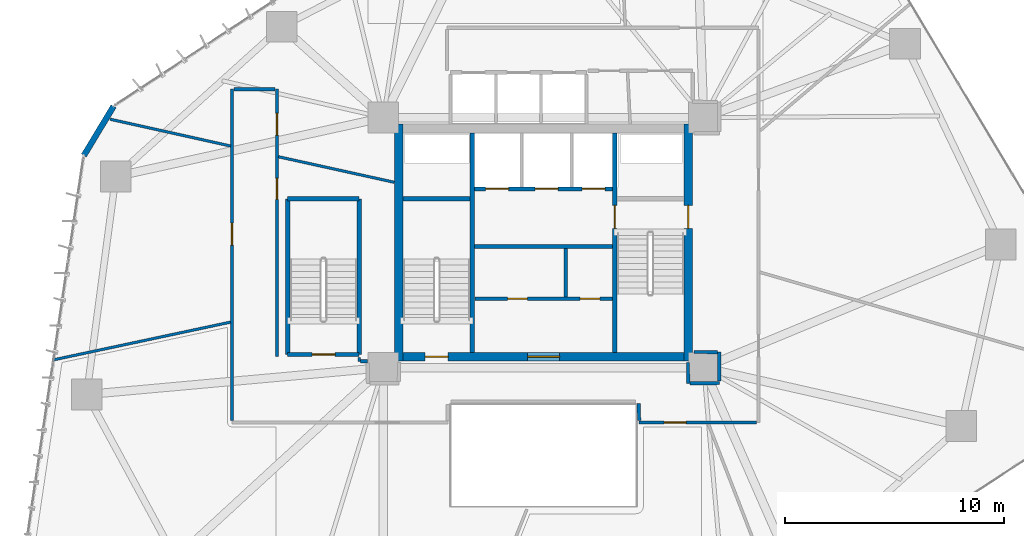
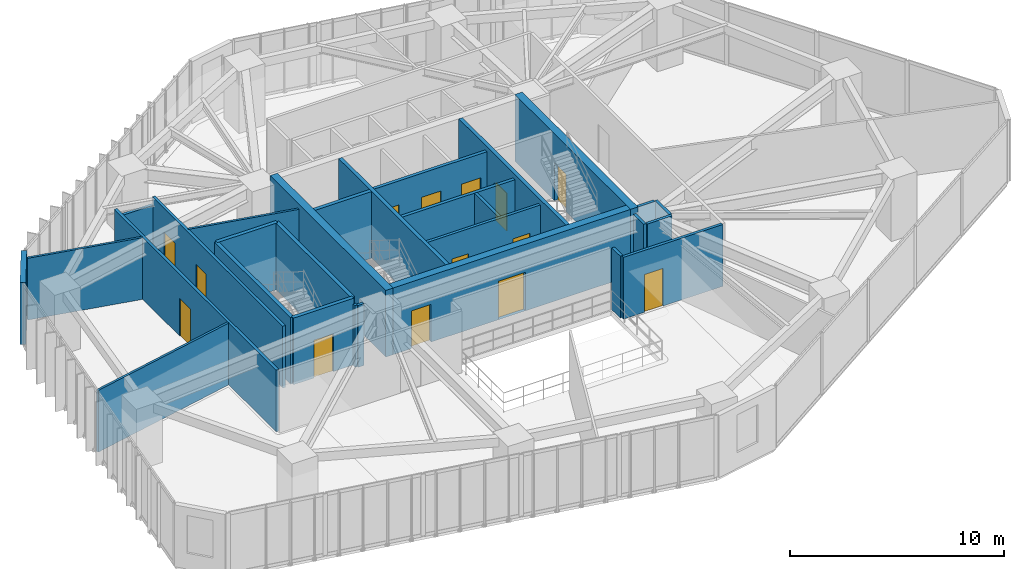
# One storey, part 16 of 20: 29 walls, 14 doors, 14 openings.
"""IFC4 building model written with IfcOpenShell, lengths in metres."""

from ifc_helpers import new_model, si_unit, direction, frame, frame_2d, origin, place, context, subcontext, project, spatial, rectangle, extrude, source, transform, mapped, material, layer, layer_set, type_object, type_shapes, element, fill, save


model = new_model("IFC4")

# Units and contexts
model_context = context("Model", 3, precision=1e-05, world=origin(), true_north=direction((0.0, 1.0)))
body_context = subcontext(model_context, "Body", "Model", "MODEL_VIEW")
ifc_project = project(units=[si_unit("LENGTHUNIT", "METRE"), si_unit("AREAUNIT", "SQUARE_METRE"), si_unit("VOLUMEUNIT", "CUBIC_METRE"), si_unit("PLANEANGLEUNIT", "RADIAN"), si_unit("MASSUNIT", "GRAM", prefix="KILO")], contexts=[model_context])

# Site, building, storey
site_placement = place(None, origin())
site = spatial("IfcSite", under=ifc_project, at=site_placement, CompositionType="ELEMENT")
building_placement = place(site_placement, origin())
building = spatial("IfcBuilding", under=site, at=building_placement, Name="Talar Marvaseh", CompositionType="ELEMENT")
storey_placement = place(building_placement, frame((0.0, 0.0, 58.199951171875)))
storey = spatial("IfcBuildingStorey", under=building, at=storey_placement, Name="L14", CompositionType="ELEMENT", Elevation=58.199951171875)

# Wall
ifc_material_1 = material(Name="Precast concrete C45/55", Category="concrete")
ifc_layer_1 = layer(ifc_material_1, 0.27001953125)
ifc_layer_set_1 = layer_set([ifc_layer_1], Name="Precast concrete C45/55")
wall_type_1 = type_object("IfcWallType", Name="Chamfered Hexagonal Corner Pier Wall Z1 270", PredefinedType="SOLIDWALL", material=ifc_layer_set_1)
wall_1_placement = place(storey_placement, frame((5.04638671875, 35.172119140625, 0.0), z_axis=(0.0, 0.0, 1.0), x_axis=(0.516834351032, 0.856085424238, 0.0)))
element("IfcWall", 1, at=wall_1_placement, inside=storey, type_object=wall_type_1, Name="L14 Chamfered Corner Limestone Pier 2", PredefinedType="SOLIDWALL", context=body_context, shape_type="SweptSolid", body=[
    extrude(rectangle(XDim=2.623046875, YDim=0.27001953125, at=frame_2d((1.3115234375, 0.0))), origin(), (0.0, 0.0, 1.0), 3.52001953125),
])

# Wall, openings, doors
ifc_material_2 = material(Name="Gypsum Board Partition Assembly")
ifc_layer_2 = layer(ifc_material_2, 0.155029296875)
ifc_layer_set_2 = layer_set([ifc_layer_2], Name="Gypsum Board Partition Assembly")
wall_type_2 = type_object("IfcWallType", Name="Corridor Fire-Rated Acoustic Partition 155", PredefinedType="PARTITIONING", material=ifc_layer_set_2)
wall_2_placement = place(storey_placement, frame((22.865966796875, 28.639892578125, 0.0), z_axis=(0.0, 0.0, 1.0), x_axis=(1.0, 0.0, 0.0)))
wall_2 = element("IfcWall", 2, at=wall_2_placement, inside=storey, type_object=wall_type_2, Name="L14 Core BOH Partition", PredefinedType="PARTITIONING", context=body_context, shape_type="SweptSolid", body=[
    extrude(rectangle(XDim=6.26806640625, YDim=0.155029296875, at=frame_2d((3.134033203125, 0.0))), origin(), (0.0, 0.0, 1.0), 3.52001953125),
])
opening_1_placement = place(wall_2_placement, frame((1.5, 0.0, 0.0)))
opening_1 = element("IfcOpeningElement", 3, at=opening_1_placement, cuts=wall_2, Name="Opening DR-BOH090", PredefinedType="OPENING", context=body_context, shape_type="SweptSolid", body=[
    extrude(rectangle(XDim=0.89990234375, YDim=2.10009765625, at=frame_2d((0.449951171875, 1.050048828125))), frame((0.0, 0.08740234375, 0.0), z_axis=(0.0, -1.0, 0.0), x_axis=(1.0, 0.0, 0.0)), (0.0, 0.0, 1.0), 0.175048828125),
])
opening_2_placement = place(wall_2_placement, frame((4.800048828125, 0.0, 0.0)))
opening_2 = element("IfcOpeningElement", 4, at=opening_2_placement, cuts=wall_2, Name="Opening DR-BOH090", PredefinedType="OPENING", context=body_context, shape_type="SweptSolid", body=[
    extrude(rectangle(XDim=0.89990234375, YDim=2.10009765625, at=frame_2d((0.449951171875, 1.050048828125))), frame((0.0, 0.08740234375, 0.0), z_axis=(0.0, -1.0, 0.0), x_axis=(1.0, 0.0, 0.0)), (0.0, 0.0, 1.0), 0.175048828125),
])
ifc_material_3 = material(Name="Fire-Rated Steel Door Leaf", Category="steel")
door_type_1 = type_object("IfcDoorType", Name="Core Back-of-House Service Door 900x2100", OperationType="NOTDEFINED", PredefinedType="DOOR", material=ifc_material_3)
shared_shape_1 = source(origin(), body_context, "Body", "SweptSolid", [
    extrude(rectangle(XDim=0.89990234375, YDim=2.10009765625, at=frame_2d((0.449951171875, 1.050048828125))), frame((0.0, 0.02490234375, 0.0), z_axis=(0.0, -1.0, 0.0), x_axis=(1.0, 0.0, 0.0)), (0.0, 0.0, 1.0), 0.050048828125),
])
type_shapes(door_type_1, [shared_shape_1])
door_1_placement = place(opening_1_placement, origin())
door_1 = element("IfcDoor", 5, at=door_1_placement, inside=storey, type_object=door_type_1, Name="L14 Plant Core Comms Switch Room Door", OperationType="SINGLE_SWING_LEFT", OverallHeight=2.10009765625, OverallWidth=0.89990234375, PredefinedType="DOOR", context=body_context, shape_type="MappedRepresentation", body=[
    mapped(shared_shape_1, transform((0.0, 0.0, 0.0), x_axis=(1.0, 0.0, 0.0), y_axis=(0.0, 1.0, 0.0), z_axis=(0.0, 0.0, 1.0), scale=1.0)),
])
fill(opening_1, door_1)
door_2_placement = place(opening_2_placement, origin())
door_2 = element("IfcDoor", 6, at=door_2_placement, inside=storey, type_object=door_type_1, Name="L14 Cleaner Cupboard Door", OperationType="SINGLE_SWING_RIGHT", OverallHeight=2.10009765625, OverallWidth=0.89990234375, PredefinedType="DOOR", context=body_context, shape_type="MappedRepresentation", body=[
    mapped(shared_shape_1, transform((0.0, 0.0, 0.0), x_axis=(1.0, 0.0, 0.0), y_axis=(0.0, 1.0, 0.0), z_axis=(0.0, 0.0, 1.0), scale=1.0)),
])
fill(opening_2, door_2)

# Wall
wall_3_placement = place(storey_placement, frame((27.02001953125, 28.719970703125, 0.0), z_axis=(0.0, 0.0, 1.0), x_axis=(0.0, 1.0, 0.0)))
element("IfcWall", 7, at=wall_3_placement, inside=storey, type_object=wall_type_2, Name="L14 Core BOH Partition", PredefinedType="PARTITIONING", context=body_context, shape_type="SweptSolid", body=[
    extrude(rectangle(XDim=2.219970703125, YDim=0.155029296875, at=frame_2d((1.10986328125, 0.0))), origin(), (0.0, 0.0, 1.0), 3.52001953125),
])

# Wall, opening, door
wall_4_placement = place(storey_placement, frame((11.800048828125, 23.08349609375, 0.0), z_axis=(0.0, 0.0, 1.0), x_axis=(0.0, 1.0, 0.0)))
wall_4 = element("IfcWall", 8, at=wall_4_placement, inside=storey, type_object=wall_type_2, Name="L14 Interior Partition Wall", PredefinedType="PARTITIONING", context=body_context, shape_type="SweptSolid", body=[
    extrude(rectangle(XDim=15.116455078125, YDim=0.155029296875, at=frame_2d((7.55810546875, 0.0))), origin(), (0.0, 0.0, 1.0), 3.52001953125),
])
opening_3_placement = place(wall_4_placement, frame((8.006103515625, 0.0, 0.0)))
opening_3 = element("IfcOpeningElement", 9, at=opening_3_placement, cuts=wall_4, Name="Opening DR-RM100", PredefinedType="OPENING", context=body_context, shape_type="SweptSolid", body=[
    extrude(rectangle(XDim=1.0, YDim=2.14990234375, at=frame_2d((0.5, 1.074951171875))), frame((0.0, 0.08740234375, 0.0), z_axis=(0.0, -1.0, 0.0), x_axis=(1.0, 0.0, 0.0)), (0.0, 0.0, 1.0), 0.175048828125),
])
ifc_material_4 = material(Name="Acoustic Engineered Oak Timber", Category="wood")
door_type_2 = type_object("IfcDoorType", Name="Corridor Fire-Rated Gallery Door 1000x2150", OperationType="NOTDEFINED", PredefinedType="DOOR", material=ifc_material_4)
shared_shape_2 = source(origin(), body_context, "Body", "SweptSolid", [
    extrude(rectangle(XDim=1.0, YDim=2.14990234375, at=frame_2d((0.5, 1.074951171875))), frame((0.0, 0.02490234375, 0.0), z_axis=(0.0, -1.0, 0.0), x_axis=(1.0, 0.0, 0.0)), (0.0, 0.0, 1.0), 0.050048828125),
])
type_shapes(door_type_2, [shared_shape_2])
door_3_placement = place(opening_3_placement, origin())
door_3 = element("IfcDoor", 10, at=door_3_placement, inside=storey, type_object=door_type_2, Name="L14 Quiet Research Study Door", OperationType="SINGLE_SWING_RIGHT", OverallHeight=2.14990234375, OverallWidth=1.0, PredefinedType="DOOR", context=body_context, shape_type="MappedRepresentation", body=[
    mapped(shared_shape_2, transform((0.0, 0.0, 0.0), x_axis=(1.0, 0.0, 0.0), y_axis=(0.0, 1.0, 0.0), z_axis=(0.0, 0.0, 1.0), scale=1.0)),
])
fill(opening_3, door_3)

# Wall, openings, doors
wall_5_placement = place(storey_placement, frame((13.85009765625, 38.199951171875, 0.0), z_axis=(0.0, 0.0, 1.0), x_axis=(0.0, -1.0, 0.0)))
wall_5 = element("IfcWall", 11, at=wall_5_placement, inside=storey, type_object=wall_type_2, Name="L14 Interior Partition Wall", PredefinedType="PARTITIONING", context=body_context, shape_type="SweptSolid", body=[
    extrude(rectangle(XDim=12.179931640625, YDim=0.155029296875, at=frame_2d((6.08984375, 0.0))), origin(), (0.0, 0.0, 1.0), 3.52001953125),
])
opening_4_placement = place(wall_5_placement, frame((1.1044921875, 0.0, 0.0)))
opening_4 = element("IfcOpeningElement", 12, at=opening_4_placement, cuts=wall_5, Name="Opening DR-RM100", PredefinedType="OPENING", context=body_context, shape_type="SweptSolid", body=[
    extrude(rectangle(XDim=1.0, YDim=2.14990234375, at=frame_2d((0.5, 1.074951171875))), frame((0.0, 0.08740234375, 0.0), z_axis=(0.0, -1.0, 0.0), x_axis=(1.0, 0.0, 0.0)), (0.0, 0.0, 1.0), 0.175048828125),
])
opening_5_placement = place(wall_5_placement, frame((4.076416015625, 0.0, 0.0)))
opening_5 = element("IfcOpeningElement", 13, at=opening_5_placement, cuts=wall_5, Name="Opening DR-WC095", PredefinedType="OPENING", context=body_context, shape_type="SweptSolid", body=[
    extrude(rectangle(XDim=0.949951171875, YDim=2.14990234375, at=frame_2d((0.47509765625, 1.074951171875))), frame((0.0, 0.08740234375, 0.0), z_axis=(0.0, -1.0, 0.0), x_axis=(1.0, 0.0, 0.0)), (0.0, 0.0, 1.0), 0.175048828125),
])
door_type_3 = type_object("IfcDoorType", Name="Washroom and Service Room Door 950x2150", OperationType="NOTDEFINED", PredefinedType="DOOR", material=ifc_material_4)
shared_shape_3 = source(origin(), body_context, "Body", "SweptSolid", [
    extrude(rectangle(XDim=0.949951171875, YDim=2.14990234375, at=frame_2d((0.47509765625, 1.074951171875))), frame((0.0, 0.02490234375, 0.0), z_axis=(0.0, -1.0, 0.0), x_axis=(1.0, 0.0, 0.0)), (0.0, 0.0, 1.0), 0.050048828125),
])
type_shapes(door_type_3, [shared_shape_3])
door_4_placement = place(opening_5_placement, origin())
door_4 = element("IfcDoor", 14, at=door_4_placement, inside=storey, type_object=door_type_3, Name="L14 Accessible WC Door", OperationType="SINGLE_SWING_LEFT", OverallHeight=2.14990234375, OverallWidth=0.949951171875, PredefinedType="DOOR", context=body_context, shape_type="MappedRepresentation", body=[
    mapped(shared_shape_3, transform((0.0, 0.0, 0.0), x_axis=(1.0, 0.0, 0.0), y_axis=(0.0, 1.0, 0.0), z_axis=(0.0, 0.0, 1.0), scale=1.0)),
])
fill(opening_5, door_4)
door_5_placement = place(opening_4_placement, origin())
door_5 = element("IfcDoor", 15, at=door_5_placement, inside=storey, type_object=door_type_2, Name="L14 Digital Paleography Studio Door", OperationType="SINGLE_SWING_RIGHT", OverallHeight=2.14990234375, OverallWidth=1.0, PredefinedType="DOOR", context=body_context, shape_type="MappedRepresentation", body=[
    mapped(shared_shape_2, transform((0.0, 0.0, 0.0), x_axis=(1.0, 0.0, 0.0), y_axis=(0.0, 1.0, 0.0), z_axis=(0.0, 0.0, 1.0), scale=1.0)),
])
fill(opening_4, door_5)

# Wall, opening, door
wall_6_placement = place(storey_placement, frame((35.716552734375, 23.0, 0.0), z_axis=(0.0, 0.0, 1.0), x_axis=(-1.0, 0.0, 0.0)))
wall_6 = element("IfcWall", 16, at=wall_6_placement, inside=storey, type_object=wall_type_2, Name="L14 Interior Partition Wall", PredefinedType="PARTITIONING", context=body_context, shape_type="SweptSolid", body=[
    extrude(rectangle(XDim=5.3564453125, YDim=0.155029296875, at=frame_2d((2.67822265625, 0.0))), origin(), (0.0, 0.0, 1.0), 3.52001953125),
])
opening_6_placement = place(wall_6_placement, frame((3.21630859375, 0.0, 0.0)))
opening_6 = element("IfcOpeningElement", 17, at=opening_6_placement, cuts=wall_6, Name="Opening DR-RM100", PredefinedType="OPENING", context=body_context, shape_type="SweptSolid", body=[
    extrude(rectangle(XDim=1.0, YDim=2.14990234375, at=frame_2d((0.5, 1.074951171875))), frame((0.0, 0.08740234375, 0.0), z_axis=(0.0, -1.0, 0.0), x_axis=(1.0, 0.0, 0.0)), (0.0, 0.0, 1.0), 0.175048828125),
])
door_6_placement = place(opening_6_placement, origin())
door_6 = element("IfcDoor", 18, at=door_6_placement, inside=storey, type_object=door_type_2, Name="L14 Museum Publication Bookshop Door", OperationType="SINGLE_SWING_RIGHT", OverallHeight=2.14990234375, OverallWidth=1.0, PredefinedType="DOOR", context=body_context, shape_type="MappedRepresentation", body=[
    mapped(shared_shape_2, transform((0.0, 0.0, 0.0), x_axis=(1.0, 0.0, 0.0), y_axis=(0.0, 1.0, 0.0), z_axis=(0.0, 0.0, 1.0), scale=1.0)),
])
fill(opening_6, door_6)

# Walls
wall_7_placement = place(storey_placement, frame((11.883544921875, 38.199951171875, 0.0), z_axis=(0.0, 0.0, 1.0), x_axis=(1.0, 0.0, 0.0)))
element("IfcWall", 19, at=wall_7_placement, inside=storey, type_object=wall_type_2, Name="L14 Interior Partition Wall", PredefinedType="PARTITIONING", context=body_context, shape_type="SweptSolid", body=[
    extrude(rectangle(XDim=1.883056640625, YDim=0.155029296875, at=frame_2d((0.94140625, 0.0))), origin(), (0.0, 0.0, 1.0), 3.08203125),
])
wall_8_placement = place(storey_placement, frame((17.666015625, 25.800048828125, 0.0), z_axis=(0.0, 0.0, 1.0), x_axis=(1.0, 0.0, 0.0)))
element("IfcWall", 20, at=wall_8_placement, inside=storey, type_object=wall_type_2, Name="L14 Interior Partition Wall", PredefinedType="PARTITIONING", context=body_context, shape_type="SweptSolid", body=[
    extrude(rectangle(XDim=0.319091796875, YDim=0.155029296875, at=frame_2d((0.15966796875, 0.0))), origin(), (0.0, 0.0, 1.0), 3.52001953125),
])
wall_9_placement = place(storey_placement, frame((32.5849609375, 25.72998046875, 0.0), z_axis=(0.0, 0.0, 1.0), x_axis=(0.007253695172, -0.999973691607, 0.0)))
element("IfcWall", 21, at=wall_9_placement, inside=storey, type_object=wall_type_2, Name="L14 Interior Partition Wall", PredefinedType="PARTITIONING", context=body_context, shape_type="SweptSolid", body=[
    extrude(rectangle(XDim=0.9423828125, YDim=0.155029296875, at=frame_2d((0.47119140625, 0.0))), origin(), (0.0, 0.0, 1.0), 3.52001953125),
])
wall_10_placement = place(storey_placement, frame((32.67529296875, 24.788330078125, 0.0), z_axis=(0.0, 0.0, 1.0), x_axis=(0.999961738884, 0.008747614993, 0.0)))
element("IfcWall", 22, at=wall_10_placement, inside=storey, type_object=wall_type_2, Name="L14 Interior Partition Wall", PredefinedType="PARTITIONING", context=body_context, shape_type="SweptSolid", body=[
    extrude(rectangle(XDim=1.339599609375, YDim=0.155029296875, at=frame_2d((0.669921875, 0.0))), origin(), (0.0, 0.0, 1.0), 3.52001953125),
])
wall_11_placement = place(storey_placement, frame((34.014892578125, 24.883544921875, 0.0), z_axis=(0.0, 0.0, 1.0), x_axis=(-0.002393659134, 0.999997135194, 0.0)))
element("IfcWall", 23, at=wall_11_placement, inside=storey, type_object=wall_type_2, Name="L14 Interior Partition Wall", PredefinedType="PARTITIONING", context=body_context, shape_type="SweptSolid", body=[
    extrude(rectangle(XDim=1.325927734375, YDim=0.155029296875, at=frame_2d((0.6630859375, 0.0))), origin(), (0.0, 0.0, 1.0), 3.52001953125),
])
wall_12_placement = place(storey_placement, frame((33.927978515625, 26.2099609375, 0.0), z_axis=(0.0, 0.0, 1.0), x_axis=(-0.999988255797, 0.004846469737, 0.0)))
element("IfcWall", 24, at=wall_12_placement, inside=storey, type_object=wall_type_2, Name="L14 Interior Partition Wall", PredefinedType="PARTITIONING", context=body_context, shape_type="SweptSolid", body=[
    extrude(rectangle(XDim=1.057861328125, YDim=0.155029296875, at=frame_2d((0.52880859375, 0.0))), origin(), (0.0, 0.0, 1.0), 3.52001953125),
])
wall_13_placement = place(storey_placement, frame((30.358154296875, 23.08349609375, 0.0), z_axis=(0.0, 0.0, 1.0), x_axis=(-0.021573276475, 0.999767269789, 0.0)))
element("IfcWall", 25, at=wall_13_placement, inside=storey, type_object=wall_type_2, Name="L14 Interior Partition Wall", PredefinedType="PARTITIONING", context=body_context, shape_type="SweptSolid", body=[
    extrude(rectangle(XDim=0.792236328125, YDim=0.155029296875, at=frame_2d((0.39599609375, 0.0))), origin(), (0.0, 0.0, 1.0), 3.52001953125),
])
ifc_layer_3 = layer(ifc_material_2, 0.1201171875)
ifc_layer_set_3 = layer_set([ifc_layer_3], Name="Gypsum Board Partition Assembly")
wall_type_3 = type_object("IfcWallType", Name="Demountable Studio Room Partition 120", PredefinedType="PARTITIONING", material=ifc_layer_set_3)
wall_14_placement = place(storey_placement, frame((17.60009765625, 25.96240234375, 0.0), z_axis=(0.0, 0.0, 1.0), x_axis=(0.0, -1.0, 0.0)))
element("IfcWall", 26, at=wall_14_placement, inside=storey, type_object=wall_type_3, Name="L14 Interior Partition Wall", PredefinedType="PARTITIONING", context=body_context, shape_type="SweptSolid", body=[
    extrude(rectangle(XDim=0.1748046875, YDim=0.1201171875, at=frame_2d((0.08740234375, 0.0))), origin(), (0.0, 0.0, 1.0), 3.52001953125),
])
wall_15_placement = place(storey_placement, frame((3.689697265625, 25.861572265625, 0.0), z_axis=(0.0, 0.0, 1.0), x_axis=(0.978036733392, 0.208432598542, 0.0)))
element("IfcWall", 27, at=wall_15_placement, inside=storey, type_object=wall_type_3, Name="L14 Interior Partition Wall", PredefinedType="PARTITIONING", context=body_context, shape_type="SweptSolid", body=[
    extrude(rectangle(XDim=8.227294921875, YDim=0.1201171875, at=frame_2d((4.11376953125, 0.0))), origin(), (0.0, 0.0, 1.0), 3.52001953125),
])
wall_16_placement = place(storey_placement, frame((19.199951171875, 33.949951171875, 0.0), z_axis=(0.0, 0.0, 1.0), x_axis=(-0.976527540086, 0.215392579848, 0.0)))
element("IfcWall", 28, at=wall_16_placement, inside=storey, type_object=wall_type_3, Name="L14 Interior Partition Wall", PredefinedType="PARTITIONING", context=body_context, shape_type="SweptSolid", body=[
    extrude(rectangle(XDim=5.413330078125, YDim=0.1201171875, at=frame_2d((2.70654296875, 0.0))), origin(), (0.0, 0.0, 1.0), 3.52001953125),
])
wall_17_placement = place(storey_placement, frame((11.736572265625, 35.60400390625, 0.0), z_axis=(0.0, 0.0, 1.0), x_axis=(-0.976137030759, 0.217155467766, 0.0)))
element("IfcWall", 29, at=wall_17_placement, inside=storey, type_object=wall_type_3, Name="L14 Interior Partition Wall", PredefinedType="PARTITIONING", context=body_context, shape_type="SweptSolid", body=[
    extrude(rectangle(XDim=5.629150390625, YDim=0.1201171875, at=frame_2d((2.814453125, 0.0))), origin(), (0.0, 0.0, 1.0), 3.52001953125),
])

# Wall, openings, doors
ifc_layer_4 = layer(ifc_material_1, 0.175048828125)
ifc_layer_set_4 = layer_set([ifc_layer_4], Name="Precast concrete C45/55")
wall_type_4 = type_object("IfcWallType", Name="Fire-Rated Lift Hoistway Enclosure Wall 175", PredefinedType="SOLIDWALL", material=ifc_layer_set_4)
wall_18_placement = place(storey_placement, frame((22.860107421875, 33.64990234375, 0.0), z_axis=(0.0, 0.0, 1.0), x_axis=(1.0, 0.0, 0.0)))
wall_18 = element("IfcWall", 30, at=wall_18_placement, inside=storey, type_object=wall_type_4, Name="L14 Firefighting and Service Lift Front Wall", PredefinedType="SOLIDWALL", context=body_context, shape_type="SweptSolid", body=[
    extrude(rectangle(XDim=6.27978515625, YDim=0.175048828125, at=frame_2d((3.139892578125, 0.0))), origin(), (0.0, 0.0, 1.0), 3.52001953125),
])
opening_7_placement = place(wall_18_placement, frame((0.5, 0.0, 0.0)))
opening_7 = element("IfcOpeningElement", 31, at=opening_7_placement, cuts=wall_18, Name="Opening LD-FF1", PredefinedType="OPENING", context=body_context, shape_type="SweptSolid", body=[
    extrude(rectangle(XDim=1.050048828125, YDim=2.14990234375, at=frame_2d((0.52490234375, 1.074951171875))), frame((0.0, 0.09765625, 0.0), z_axis=(0.0, -1.0, 0.0), x_axis=(1.0, 0.0, 0.0)), (0.0, 0.0, 1.0), 0.195068359375),
])
opening_8_placement = place(wall_18_placement, frame((2.760009765625, 0.0, 0.0)))
opening_8 = element("IfcOpeningElement", 32, at=opening_8_placement, cuts=wall_18, Name="Opening LD-FF2", PredefinedType="OPENING", context=body_context, shape_type="SweptSolid", body=[
    extrude(rectangle(XDim=1.050048828125, YDim=2.14990234375, at=frame_2d((0.52490234375, 1.074951171875))), frame((0.0, 0.09765625, 0.0), z_axis=(0.0, -1.0, 0.0), x_axis=(1.0, 0.0, 0.0)), (0.0, 0.0, 1.0), 0.195068359375),
])
opening_9_placement = place(wall_18_placement, frame((4.89990234375, 0.0, 0.0)))
opening_9 = element("IfcOpeningElement", 33, at=opening_9_placement, cuts=wall_18, Name="Opening LD-SV1", PredefinedType="OPENING", context=body_context, shape_type="SweptSolid", body=[
    extrude(rectangle(XDim=1.050048828125, YDim=2.14990234375, at=frame_2d((0.52490234375, 1.074951171875))), frame((0.0, 0.09765625, 0.0), z_axis=(0.0, -1.0, 0.0), x_axis=(1.0, 0.0, 0.0)), (0.0, 0.0, 1.0), 0.195068359375),
])
ifc_material_5 = material(Name="Stainless Steel Grade 316", Category="steel")
door_type_4 = type_object("IfcDoorType", Name="Automatic Sliding Lift Landing Door 1050x2150", OperationType="NOTDEFINED", PredefinedType="DOOR", material=ifc_material_5)
shared_shape_4 = source(origin(), body_context, "Body", "SweptSolid", [
    extrude(rectangle(XDim=1.050048828125, YDim=2.14990234375, at=frame_2d((0.52490234375, 1.074951171875))), frame((0.0, 0.02490234375, 0.0), z_axis=(0.0, -1.0, 0.0), x_axis=(1.0, 0.0, 0.0)), (0.0, 0.0, 1.0), 0.050048828125),
])
type_shapes(door_type_4, [shared_shape_4])
door_7_placement = place(opening_7_placement, origin())
door_7 = element("IfcDoor", 34, at=door_7_placement, inside=storey, type_object=door_type_4, Name="L14 Lift FFL-1 Sliding Landing Door", OperationType="SLIDING_TO_LEFT", OverallHeight=2.14990234375, OverallWidth=1.050048828125, PredefinedType="DOOR", context=body_context, shape_type="MappedRepresentation", body=[
    mapped(shared_shape_4, transform((0.0, 0.0, 0.0), x_axis=(1.0, 0.0, 0.0), y_axis=(0.0, 1.0, 0.0), z_axis=(0.0, 0.0, 1.0), scale=1.0)),
])
fill(opening_7, door_7)
door_8_placement = place(opening_8_placement, origin())
door_8 = element("IfcDoor", 35, at=door_8_placement, inside=storey, type_object=door_type_4, Name="L14 Lift FFL-2 Sliding Landing Door", OperationType="SLIDING_TO_LEFT", OverallHeight=2.14990234375, OverallWidth=1.050048828125, PredefinedType="DOOR", context=body_context, shape_type="MappedRepresentation", body=[
    mapped(shared_shape_4, transform((0.0, 0.0, 0.0), x_axis=(1.0, 0.0, 0.0), y_axis=(0.0, 1.0, 0.0), z_axis=(0.0, 0.0, 1.0), scale=1.0)),
])
fill(opening_8, door_8)
door_9_placement = place(opening_9_placement, origin())
door_9 = element("IfcDoor", 36, at=door_9_placement, inside=storey, type_object=door_type_4, Name="L14 Lift SVL-1 Sliding Landing Door", OperationType="SLIDING_TO_LEFT", OverallHeight=2.14990234375, OverallWidth=1.050048828125, PredefinedType="DOOR", context=body_context, shape_type="MappedRepresentation", body=[
    mapped(shared_shape_4, transform((0.0, 0.0, 0.0), x_axis=(1.0, 0.0, 0.0), y_axis=(0.0, 1.0, 0.0), z_axis=(0.0, 0.0, 1.0), scale=1.0)),
])
fill(opening_9, door_9)

# Walls
wall_19_placement = place(storey_placement, frame((22.860107421875, 31.02001953125, 0.0), z_axis=(0.0, 0.0, 1.0), x_axis=(1.0, 0.0, 0.0)))
element("IfcWall", 37, at=wall_19_placement, inside=storey, type_object=wall_type_4, Name="L14 Firefighting Lobby South Smoke Wall", PredefinedType="SOLIDWALL", context=body_context, shape_type="SweptSolid", body=[
    extrude(rectangle(XDim=6.27978515625, YDim=0.175048828125, at=frame_2d((3.139892578125, 0.0))), origin(), (0.0, 0.0, 1.0), 3.52001953125),
])
ifc_material_6 = material(Name="Concrete C70/85", Category="concrete")
ifc_layer_5 = layer(ifc_material_6, 0.39990234375)
ifc_layer_set_5 = layer_set([ifc_layer_5], Name="Concrete C70/85")
wall_type_5 = type_object("IfcWallType", Name="Lower Core Reinforced Concrete Shear Wall 400", PredefinedType="SHEAR", material=ifc_layer_set_5)
wall_20_placement = place(storey_placement, frame((19.39990234375, 25.800048828125, 0.0), z_axis=(0.0, 0.0, 1.0), x_axis=(0.0, 1.0, 0.0)))
element("IfcWall", 38, at=wall_20_placement, inside=storey, type_object=wall_type_5, Name="L14 West Core Shear Wall", PredefinedType="SHEAR", context=body_context, shape_type="SweptSolid", body=[
    extrude(rectangle(XDim=10.800048828125, YDim=0.39990234375, at=frame_2d((5.39990234375, 0.0))), origin(), (0.0, 0.0, 1.0), 3.800048828125),
])

# Wall, opening, door
wall_21_placement = place(storey_placement, frame((32.60009765625, 36.60009765625, 0.0), z_axis=(0.0, 0.0, 1.0), x_axis=(0.0, -1.0, 0.0)))
wall_21 = element("IfcWall", 39, at=wall_21_placement, inside=storey, type_object=wall_type_5, Name="L14 East Core Shear Wall", PredefinedType="SHEAR", context=body_context, shape_type="SweptSolid", body=[
    extrude(rectangle(XDim=10.800048828125, YDim=0.39990234375, at=frame_2d((5.39990234375, 0.0))), origin(), (0.0, 0.0, 1.0), 3.800048828125),
])
opening_10_placement = place(wall_21_placement, frame((3.699951171875, 0.0, 0.0)))
opening_10 = element("IfcOpeningElement", 40, at=opening_10_placement, cuts=wall_21, Name="Opening DR-ST105", PredefinedType="OPENING", context=body_context, shape_type="SweptSolid", body=[
    extrude(rectangle(XDim=1.050048828125, YDim=2.14990234375, at=frame_2d((0.52490234375, 1.074951171875))), frame((0.0, 0.2099609375, 0.0), z_axis=(0.0, -1.0, 0.0), x_axis=(1.0, 0.0, 0.0)), (0.0, 0.0, 1.0), 0.419921875),
])
door_type_5 = type_object("IfcDoorType", Name="Protected Exit Stair Fire Door 1050x2150", OperationType="NOTDEFINED", PredefinedType="DOOR", material=ifc_material_3)
shared_shape_5 = source(origin(), body_context, "Body", "SweptSolid", [
    extrude(rectangle(XDim=1.050048828125, YDim=2.14990234375, at=frame_2d((0.52490234375, 1.074951171875))), frame((0.0, 0.02490234375, 0.0), z_axis=(0.0, -1.0, 0.0), x_axis=(1.0, 0.0, 0.0)), (0.0, 0.0, 1.0), 0.050048828125),
])
type_shapes(door_type_5, [shared_shape_5])
door_10_placement = place(opening_10_placement, origin())
door_10 = element("IfcDoor", 41, at=door_10_placement, inside=storey, type_object=door_type_5, Name="L14 Stair ST-2 Corridor Exit Door", OperationType="SINGLE_SWING_LEFT", OverallHeight=2.14990234375, OverallWidth=1.050048828125, PredefinedType="DOOR", context=body_context, shape_type="MappedRepresentation", body=[
    mapped(shared_shape_5, transform((0.0, 0.0, 0.0), x_axis=(1.0, 0.0, 0.0), y_axis=(0.0, 1.0, 0.0), z_axis=(0.0, 0.0, 1.0), scale=1.0)),
])
fill(opening_10, door_10)

# Wall, openings, doors
wall_22_placement = place(storey_placement, frame((32.39990234375, 26.0, 0.0), z_axis=(0.0, 0.0, 1.0), x_axis=(-1.0, 0.0, 0.0)))
wall_22 = element("IfcWall", 42, at=wall_22_placement, inside=storey, type_object=wall_type_5, Name="L14 South Core Shear Wall", PredefinedType="SHEAR", context=body_context, shape_type="SweptSolid", body=[
    extrude(rectangle(XDim=12.7998046875, YDim=0.39990234375, at=frame_2d((6.39990234375, 0.0))), origin(), (0.0, 0.0, 1.0), 3.800048828125),
])
opening_11_placement = place(wall_22_placement, frame((10.75, 0.0, 0.0)))
opening_11 = element("IfcOpeningElement", 43, at=opening_11_placement, cuts=wall_22, Name="Opening DR-ST105", PredefinedType="OPENING", context=body_context, shape_type="SweptSolid", body=[
    extrude(rectangle(XDim=1.050048828125, YDim=2.14990234375, at=frame_2d((0.52490234375, 1.074951171875))), frame((0.0, 0.2099609375, 0.0), z_axis=(0.0, -1.0, 0.0), x_axis=(1.0, 0.0, 0.0)), (0.0, 0.0, 1.0), 0.419921875),
])
opening_12_placement = place(wall_22_placement, frame((5.669921875, 0.0, 0.0)))
opening_12 = element("IfcOpeningElement", 44, at=opening_12_placement, cuts=wall_22, Name="Opening DR-LBY145", PredefinedType="OPENING", context=body_context, shape_type="SweptSolid", body=[
    extrude(rectangle(XDim=1.449951171875, YDim=2.199951171875, at=frame_2d((0.72509765625, 1.10009765625))), frame((0.0, 0.2099609375, 0.0), z_axis=(0.0, -1.0, 0.0), x_axis=(1.0, 0.0, 0.0)), (0.0, 0.0, 1.0), 0.419921875),
])
door_11_placement = place(opening_11_placement, origin())
door_11 = element("IfcDoor", 45, at=door_11_placement, inside=storey, type_object=door_type_5, Name="L14 Stair ST-1 Exit Door", OperationType="SINGLE_SWING_RIGHT", OverallHeight=2.14990234375, OverallWidth=1.050048828125, PredefinedType="DOOR", context=body_context, shape_type="MappedRepresentation", body=[
    mapped(shared_shape_5, transform((0.0, 0.0, 0.0), x_axis=(1.0, 0.0, 0.0), y_axis=(0.0, 1.0, 0.0), z_axis=(0.0, 0.0, 1.0), scale=1.0)),
])
fill(opening_11, door_11)
door_type_6 = type_object("IfcDoorType", Name="Core Lift Lobby Double Smoke Door 1450x2200", OperationType="NOTDEFINED", PredefinedType="DOOR", material=ifc_material_3)
shared_shape_6 = source(origin(), body_context, "Body", "SweptSolid", [
    extrude(rectangle(XDim=1.449951171875, YDim=2.199951171875, at=frame_2d((0.72509765625, 1.10009765625))), frame((0.0, 0.02490234375, 0.0), z_axis=(0.0, -1.0, 0.0), x_axis=(1.0, 0.0, 0.0)), (0.0, 0.0, 1.0), 0.050048828125),
])
type_shapes(door_type_6, [shared_shape_6])
door_12_placement = place(opening_12_placement, origin())
door_12 = element("IfcDoor", 46, at=door_12_placement, inside=storey, type_object=door_type_6, Name="L14 Passenger Lift Lobby Entrance Door", OperationType="DOUBLE_DOOR_SINGLE_SWING", OverallHeight=2.199951171875, OverallWidth=1.449951171875, PredefinedType="DOOR", context=body_context, shape_type="MappedRepresentation", body=[
    mapped(shared_shape_6, transform((0.0, 0.0, 0.0), x_axis=(1.0, 0.0, 0.0), y_axis=(0.0, 1.0, 0.0), z_axis=(0.0, 0.0, 1.0), scale=1.0)),
])
fill(opening_12, door_12)

# Wall
ifc_material_7 = material(Name="Concrete C50/60", Category="concrete")
ifc_layer_6 = layer(ifc_material_7, 0.199951171875)
ifc_layer_set_6 = layer_set([ifc_layer_6], Name="Concrete C50/60")
wall_type_6 = type_object("IfcWallType", Name="Stair Shaft Structural Concrete Shear Wall 200", PredefinedType="SHEAR", material=ifc_layer_set_6)
wall_23_placement = place(storey_placement, frame((22.760009765625, 26.199951171875, 0.0), z_axis=(0.0, 0.0, 1.0), x_axis=(0.0, 1.0, 0.0)))
element("IfcWall", 47, at=wall_23_placement, inside=storey, type_object=wall_type_6, Name="L14 Core West Stair Shear Wall", PredefinedType="SHEAR", context=body_context, shape_type="SweptSolid", body=[
    extrude(rectangle(XDim=10.0, YDim=0.199951171875, at=frame_2d((5.0, 0.0))), origin(), (0.0, 0.0, 1.0), 3.800048828125),
])

# Wall, opening, door
wall_24_placement = place(storey_placement, frame((29.239990234375, 26.199951171875, 0.0), z_axis=(0.0, 0.0, 1.0), x_axis=(0.0, 1.0, 0.0)))
wall_24 = element("IfcWall", 48, at=wall_24_placement, inside=storey, type_object=wall_type_6, Name="L14 Core East Stair Shear Wall", PredefinedType="SHEAR", context=body_context, shape_type="SweptSolid", body=[
    extrude(rectangle(XDim=10.0, YDim=0.199951171875, at=frame_2d((5.0, 0.0))), origin(), (0.0, 0.0, 1.0), 3.800048828125),
])
opening_13_placement = place(wall_24_placement, frame((5.64990234375, 0.0, 0.0)))
opening_13 = element("IfcOpeningElement", 49, at=opening_13_placement, cuts=wall_24, Name="Opening DR-ST105", PredefinedType="OPENING", context=body_context, shape_type="SweptSolid", body=[
    extrude(rectangle(XDim=1.050048828125, YDim=2.14990234375, at=frame_2d((0.52490234375, 1.074951171875))), frame((0.0, 0.10986328125, 0.0), z_axis=(0.0, -1.0, 0.0), x_axis=(1.0, 0.0, 0.0)), (0.0, 0.0, 1.0), 0.219970703125),
])
door_13_placement = place(opening_13_placement, origin())
door_13 = element("IfcDoor", 50, at=door_13_placement, inside=storey, type_object=door_type_5, Name="L14 Firefighting Lobby to Stair ST-2 Door", OperationType="SINGLE_SWING_LEFT", OverallHeight=2.14990234375, OverallWidth=1.050048828125, PredefinedType="DOOR", context=body_context, shape_type="MappedRepresentation", body=[
    mapped(shared_shape_5, transform((0.0, 0.0, 0.0), x_axis=(1.0, 0.0, 0.0), y_axis=(0.0, 1.0, 0.0), z_axis=(0.0, 0.0, 1.0), scale=1.0)),
])
fill(opening_13, door_13)

# Wall
wall_25_placement = place(storey_placement, frame((19.60009765625, 33.199951171875, 0.0), z_axis=(0.0, 0.0, 1.0), x_axis=(1.0, 0.0, 0.0)))
element("IfcWall", 51, at=wall_25_placement, inside=storey, type_object=wall_type_6, Name="L14 Stair ST-1 North Shear Wall", PredefinedType="SHEAR", context=body_context, shape_type="SweptSolid", body=[
    extrude(rectangle(XDim=3.059814453125, YDim=0.199951171875, at=frame_2d((1.52978515625, 0.0))), origin(), (0.0, 0.0, 1.0), 3.800048828125),
])

# Wall, opening, door
wall_26_placement = place(storey_placement, frame((17.60009765625, 26.10009765625, 0.0), z_axis=(0.0, 0.0, 1.0), x_axis=(-1.0, 0.0, 0.0)))
wall_26 = element("IfcWall", 52, at=wall_26_placement, inside=storey, type_object=wall_type_6, Name="L14 Stair ST-3 South Shear Wall", PredefinedType="SHEAR", context=body_context, shape_type="SweptSolid", body=[
    extrude(rectangle(XDim=3.260009765625, YDim=0.199951171875, at=frame_2d((1.6298828125, 0.0))), origin(), (0.0, 0.0, 1.0), 3.800048828125),
])
opening_14_placement = place(wall_26_placement, frame((1.10009765625, 0.0, 0.0)))
opening_14 = element("IfcOpeningElement", 53, at=opening_14_placement, cuts=wall_26, Name="Opening DR-ST105", PredefinedType="OPENING", context=body_context, shape_type="SweptSolid", body=[
    extrude(rectangle(XDim=1.050048828125, YDim=2.14990234375, at=frame_2d((0.52490234375, 1.074951171875))), frame((0.0, 0.10986328125, 0.0), z_axis=(0.0, -1.0, 0.0), x_axis=(1.0, 0.0, 0.0)), (0.0, 0.0, 1.0), 0.219970703125),
])
door_14_placement = place(opening_14_placement, origin())
door_14 = element("IfcDoor", 54, at=door_14_placement, inside=storey, type_object=door_type_5, Name="L14 Stair ST-3 Exit Door", OperationType="SINGLE_SWING_LEFT", OverallHeight=2.14990234375, OverallWidth=1.050048828125, PredefinedType="DOOR", context=body_context, shape_type="MappedRepresentation", body=[
    mapped(shared_shape_5, transform((0.0, 0.0, 0.0), x_axis=(1.0, 0.0, 0.0), y_axis=(0.0, 1.0, 0.0), z_axis=(0.0, 0.0, 1.0), scale=1.0)),
])
fill(opening_14, door_14)

# Walls
wall_27_placement = place(storey_placement, frame((14.340087890625, 33.199951171875, 0.0), z_axis=(0.0, 0.0, 1.0), x_axis=(1.0, 0.0, 0.0)))
element("IfcWall", 55, at=wall_27_placement, inside=storey, type_object=wall_type_6, Name="L14 Stair ST-3 North Shear Wall", PredefinedType="SHEAR", context=body_context, shape_type="SweptSolid", body=[
    extrude(rectangle(XDim=3.260009765625, YDim=0.199951171875, at=frame_2d((1.6298828125, 0.0))), origin(), (0.0, 0.0, 1.0), 3.800048828125),
])
for number, where, z_axis, x_axis, name in (
    (56, (14.340087890625, 26.10009765625, 0.0), (0.0, 0.0, 1.0), (0.0, 1.0, 0.0), "L14 Stair ST-3 West Shear Wall"),
    (57, (17.60009765625, 26.10009765625, 0.0), (0.0, 0.0, 1.0), (0.0, 1.0, 0.0), "L14 Stair ST-3 East Shear Wall"),
):
    element("IfcWall", number, at=place(storey_placement, frame(where, z_axis=z_axis, x_axis=x_axis)), inside=storey, type_object=wall_type_6, Name=name, PredefinedType="SHEAR", context=body_context, shape_type="SweptSolid", body=[
        extrude(rectangle(XDim=7.099853515625, YDim=0.199951171875, at=frame_2d((3.5498046875, 0.0))), origin(), (0.0, 0.0, 1.0), 3.800048828125),
    ])

save(model, "model.ifc")
